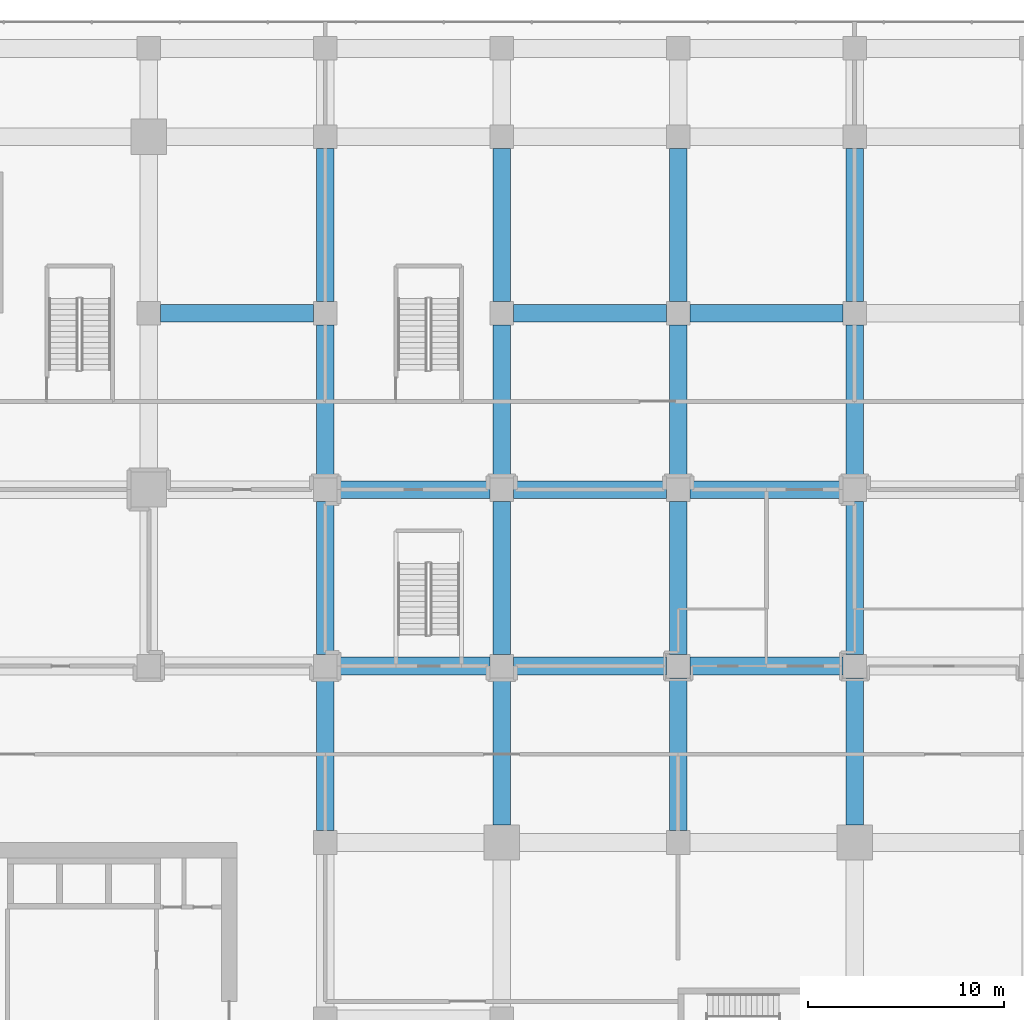
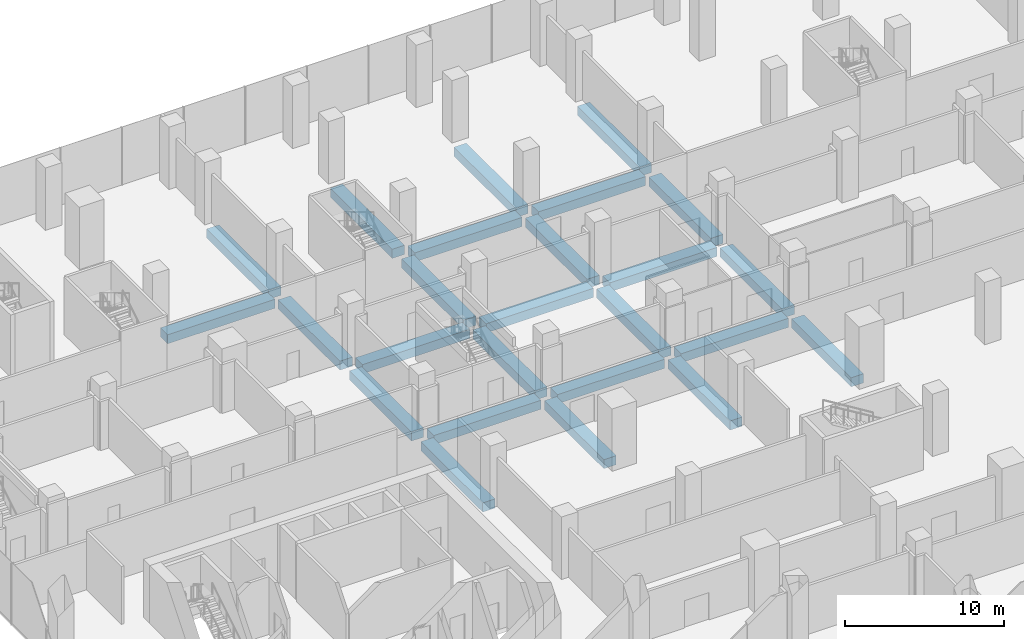
# One storey, part 12 of 42: 25 beams.
"""IFC4 building model written with IfcOpenShell, lengths in metres."""

from ifc_helpers import new_model, si_unit, direction, frame, origin, origin_2d, place, context, subcontext, project, spatial, rectangle, extrude, material, material_profile, profile_set, type_object, element, save


model = new_model("IFC4")

# Units and contexts
model_context = context("Model", 3, precision=1e-05, world=origin(), true_north=direction((0.0, 1.0)))
body_context = subcontext(model_context, "Body", "Model", "MODEL_VIEW")
ifc_project = project(units=[si_unit("LENGTHUNIT", "METRE"), si_unit("AREAUNIT", "SQUARE_METRE"), si_unit("VOLUMEUNIT", "CUBIC_METRE"), si_unit("PLANEANGLEUNIT", "RADIAN"), si_unit("MASSUNIT", "GRAM", prefix="KILO")], contexts=[model_context])

# Site, building, storey
site_placement = place(None, origin())
site = spatial("IfcSite", under=ifc_project, at=site_placement, CompositionType="ELEMENT")
building_placement = place(site_placement, origin())
building = spatial("IfcBuilding", under=site, at=building_placement, Name="Plateau Cross Towers", CompositionType="ELEMENT")
storey_placement = place(building_placement, frame((0.0, 0.0, 8.0)))
storey = spatial("IfcBuildingStorey", under=building, at=storey_placement, Name="L01", CompositionType="ELEMENT", Elevation=8.0)

# Beams
ifc_material = material(Name="Concrete C50/60", Category="concrete")
ifc_material_profile = material_profile(ifc_material, rectangle(XDim=0.89990234375, YDim=0.699951171875, at=origin_2d()), Name="RC 900x700")
ifc_profile_set = profile_set([ifc_material_profile], Name="Concrete C50/60")
beam_type = type_object("IfcBeamType", Name="Podium band beam RC 900x700", PredefinedType="BEAM", material=ifc_profile_set)
for number, where, z_axis, x_axis, name in (
    (1, (27.60009765625, 27.0, -0.699951171875), (1.0, 0.0, 0.0), (0.0, 1.0, 0.0), "PB36@L01"),
    (2, (36.60009765625, 27.0, -0.699951171875), (1.0, 0.0, 0.0), (0.0, 1.0, 0.0), "PB37@L01"),
    (3, (45.60009765625, 27.0, -0.699951171875), (1.0, 0.0, 0.0), (0.0, 1.0, 0.0), "PB38@L01"),
    (4, (27.60009765625, 36.0, -0.699951171875), (1.0, 0.0, 0.0), (0.0, 1.0, 0.0), "PB49@L01"),
    (5, (36.60009765625, 36.0, -0.699951171875), (1.0, 0.0, 0.0), (0.0, 1.0, 0.0), "PB50@L01"),
    (6, (45.60009765625, 36.0, -0.699951171875), (1.0, 0.0, 0.0), (0.0, 1.0, 0.0), "PB51@L01"),
    (7, (18.60009765625, 45.0, -0.699951171875), (1.0, 0.0, 0.0), (0.0, 1.0, 0.0), "PB59@L01"),
    (8, (36.60009765625, 45.0, -0.699951171875), (1.0, 0.0, 0.0), (0.0, 1.0, 0.0), "PB60@L01"),
    (9, (45.60009765625, 45.0, -0.699951171875), (1.0, 0.0, 0.0), (0.0, 1.0, 0.0), "PB61@L01"),
    (10, (27.0, 18.60009765625, -0.699951171875), (0.0, 1.0, 0.0), (-1.0, 0.0, 0.0), "PB118@L01"),
    (11, (27.0, 27.60009765625, -0.699951171875), (0.0, 1.0, 0.0), (-1.0, 0.0, 0.0), "PB119@L01"),
    (12, (27.0, 36.60009765625, -0.699951171875), (0.0, 1.0, 0.0), (-1.0, 0.0, 0.0), "PB120@L01"),
    (13, (27.0, 45.60009765625, -0.699951171875), (0.0, 1.0, 0.0), (-1.0, 0.0, 0.0), "PB121@L01"),
):
    element("IfcBeam", number, at=place(storey_placement, frame(where, z_axis=z_axis, x_axis=x_axis)), inside=storey, type_object=beam_type, Name=name, PredefinedType="BEAM", context=body_context, shape_type="SweptSolid", body=[
        extrude(rectangle(XDim=0.89990234375, YDim=0.699951171875, at=origin_2d()), origin(), (0.0, 0.0, 1.0), 7.7998046875),
    ])
beam_1_placement = place(storey_placement, frame((36.0, 18.89990234375, -0.699951171875), z_axis=(0.0, 1.0, 0.0), x_axis=(-1.0, 0.0, 0.0)))
element("IfcBeam", 14, at=beam_1_placement, inside=storey, type_object=beam_type, Name="PB127@L01", PredefinedType="BEAM", context=body_context, shape_type="SweptSolid", body=[
    extrude(rectangle(XDim=0.89990234375, YDim=0.699951171875, at=origin_2d()), origin(), (0.0, 0.0, 1.0), 7.5),
])
for number, where, z_axis, x_axis, name in (
    (15, (36.0, 27.60009765625, -0.699951171875), (0.0, 1.0, 0.0), (-1.0, 0.0, 0.0), "PB128@L01"),
    (16, (36.0, 36.60009765625, -0.699951171875), (0.0, 1.0, 0.0), (-1.0, 0.0, 0.0), "PB129@L01"),
    (17, (36.0, 45.60009765625, -0.699951171875), (0.0, 1.0, 0.0), (-1.0, 0.0, 0.0), "PB130@L01"),
    (18, (45.0, 18.60009765625, -0.699951171875), (0.0, 1.0, 0.0), (-1.0, 0.0, 0.0), "PB134@L01"),
    (19, (45.0, 27.60009765625, -0.699951171875), (0.0, 1.0, 0.0), (-1.0, 0.0, 0.0), "PB135@L01"),
    (20, (45.0, 36.60009765625, -0.699951171875), (0.0, 1.0, 0.0), (-1.0, 0.0, 0.0), "PB136@L01"),
    (21, (45.0, 45.60009765625, -0.699951171875), (0.0, 1.0, 0.0), (-1.0, 0.0, 0.0), "PB137@L01"),
):
    element("IfcBeam", number, at=place(storey_placement, frame(where, z_axis=z_axis, x_axis=x_axis)), inside=storey, type_object=beam_type, Name=name, PredefinedType="BEAM", context=body_context, shape_type="SweptSolid", body=[
        extrude(rectangle(XDim=0.89990234375, YDim=0.699951171875, at=origin_2d()), origin(), (0.0, 0.0, 1.0), 7.7998046875),
    ])
beam_2_placement = place(storey_placement, frame((54.0, 18.89990234375, -0.699951171875), z_axis=(0.0, 1.0, 0.0), x_axis=(-1.0, 0.0, 0.0)))
element("IfcBeam", 22, at=beam_2_placement, inside=storey, type_object=beam_type, Name="PB143@L01", PredefinedType="BEAM", context=body_context, shape_type="SweptSolid", body=[
    extrude(rectangle(XDim=0.89990234375, YDim=0.699951171875, at=origin_2d()), origin(), (0.0, 0.0, 1.0), 7.5),
])
for number, where, z_axis, x_axis, name in (
    (23, (54.0, 27.60009765625, -0.699951171875), (0.0, 1.0, 0.0), (-1.0, 0.0, 0.0), "PB144@L01"),
    (24, (54.0, 36.60009765625, -0.699951171875), (0.0, 1.0, 0.0), (-1.0, 0.0, 0.0), "PB145@L01"),
    (25, (54.0, 45.60009765625, -0.699951171875), (0.0, 1.0, 0.0), (-1.0, 0.0, 0.0), "PB146@L01"),
):
    element("IfcBeam", number, at=place(storey_placement, frame(where, z_axis=z_axis, x_axis=x_axis)), inside=storey, type_object=beam_type, Name=name, PredefinedType="BEAM", context=body_context, shape_type="SweptSolid", body=[
        extrude(rectangle(XDim=0.89990234375, YDim=0.699951171875, at=origin_2d()), origin(), (0.0, 0.0, 1.0), 7.7998046875),
    ])

save(model, "model.ifc")
